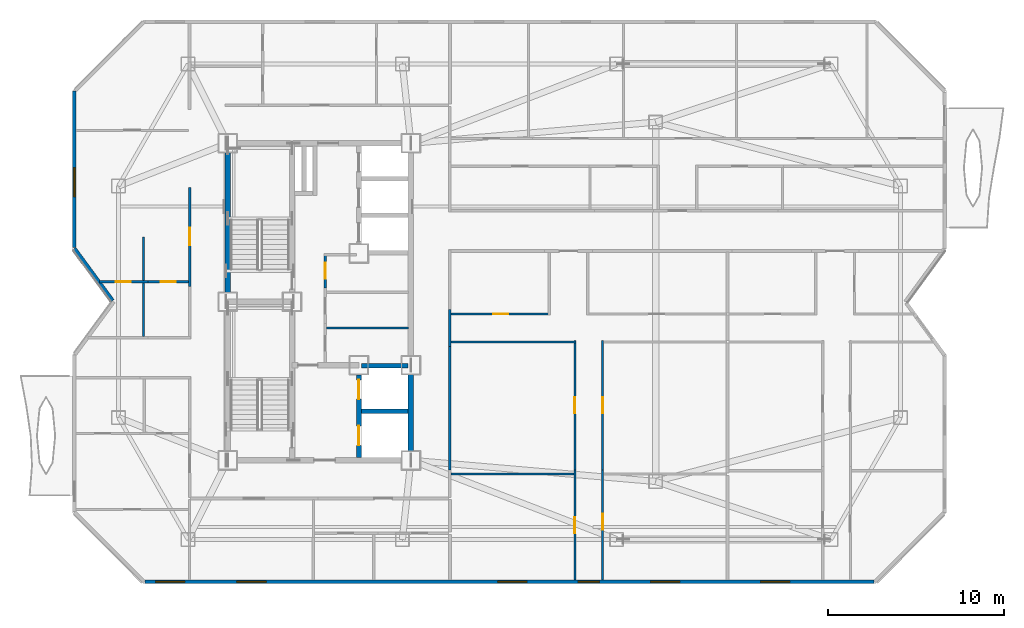
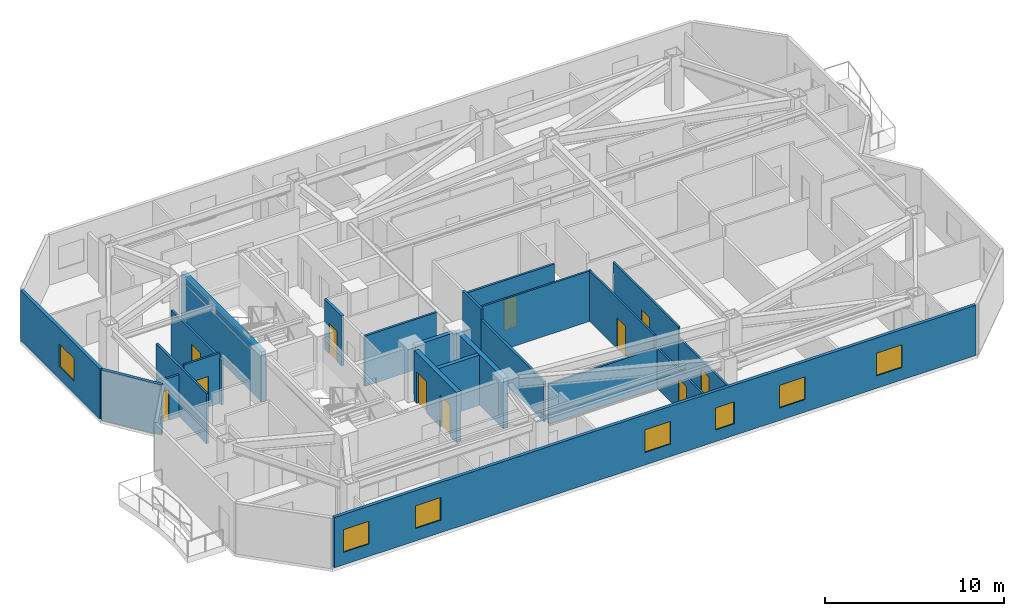
# One storey, part 5 of 10: 23 walls, 11 doors, 7 windows, 18 openings.
"""IFC4 building model written with IfcOpenShell, lengths in metres."""

from ifc_helpers import new_model, si_unit, direction, frame, frame_2d, origin, place, context, subcontext, project, spatial, rectangle, extrude, material, layer, layer_set, type_object, element, fill, save


model = new_model("IFC4")

# Units and contexts
model_context = context("Model", 3, precision=1e-05, world=origin(), true_north=direction((0.0, 1.0)))
body_context = subcontext(model_context, "Body", "Model", "MODEL_VIEW")
ifc_project = project(units=[si_unit("LENGTHUNIT", "METRE"), si_unit("AREAUNIT", "SQUARE_METRE"), si_unit("VOLUMEUNIT", "CUBIC_METRE"), si_unit("PLANEANGLEUNIT", "RADIAN"), si_unit("MASSUNIT", "GRAM", prefix="KILO")], contexts=[model_context])

# Site, building, storey
site_placement = place(None, origin())
site = spatial("IfcSite", under=ifc_project, at=site_placement, CompositionType="ELEMENT")
building_placement = place(site_placement, origin())
building = spatial("IfcBuilding", under=site, at=building_placement, Name="Khamvora Tower", CompositionType="ELEMENT")
storey_placement = place(building_placement, frame((0.0, 0.0, 228.14990234375)))
storey = spatial("IfcBuildingStorey", under=building, at=storey_placement, Name="L58", CompositionType="ELEMENT", Elevation=228.14990234375)

# Walls
ifc_material_1 = material(Name="Concrete C50/60", Category="concrete")
ifc_layer_1 = layer(ifc_material_1, 0.300048828125)
ifc_layer_set_1 = layer_set([ifc_layer_1], Name="Concrete C50/60")
wall_type_1 = type_object("IfcWallType", Name="WAL-CORE-300", PredefinedType="SHEAR", material=ifc_layer_set_1)
wall_1_placement = place(storey_placement, frame((29.0, 28.0, 0.0), z_axis=(0.0, 0.0, 1.0), x_axis=(0.0, 1.0, 0.0)))
element("IfcWall", 1, at=wall_1_placement, inside=storey, type_object=wall_type_1, Name="L58 central core west north wall", PredefinedType="SHEAR", context=body_context, shape_type="SweptSolid", body=[
    extrude(rectangle(XDim=9.0, YDim=0.300048828125, at=frame_2d((4.5, 0.0))), origin(), (0.0, 0.0, 1.0), 3.43017578125),
])
wall_2_placement = place(storey_placement, frame((39.39990234375, 19.0, 0.0), z_axis=(0.0, 0.0, 1.0), x_axis=(0.0, 1.0, 0.0)))
element("IfcWall", 2, at=wall_2_placement, inside=storey, type_object=wall_type_1, Name="L58 central core east south wall", PredefinedType="SHEAR", context=body_context, shape_type="SweptSolid", body=[
    extrude(rectangle(XDim=5.39990234375, YDim=0.300048828125, at=frame_2d((2.699951171875, 0.0))), origin(), (0.0, 0.0, 1.0), 3.43017578125),
])

# Wall, openings, doors
wall_3_placement = place(storey_placement, frame((36.449951171875, 19.154052734375, 0.0), z_axis=(0.0, 0.0, 1.0), x_axis=(0.0, 1.0, 0.0)))
wall_3 = element("IfcWall", 3, at=wall_3_placement, inside=storey, type_object=wall_type_1, Name="L58 central core lift bank south wall", PredefinedType="SHEAR", context=body_context, shape_type="SweptSolid", body=[
    extrude(rectangle(XDim=4.696044921875, YDim=0.300048828125, at=frame_2d((2.34814453125, 0.0))), origin(), (0.0, 0.0, 1.0), 3.43017578125),
])
opening_1_placement = place(wall_3_placement, frame((0.696044921875, 0.0, 0.0)))
opening_1 = element("IfcOpeningElement", 4, at=opening_1_placement, cuts=wall_3, Name="Opening LD-FFL", PredefinedType="OPENING", context=body_context, shape_type="SweptSolid", body=[
    extrude(rectangle(XDim=1.10009765625, YDim=2.14990234375, at=frame_2d((0.550048828125, 1.074951171875))), frame((0.0, 0.159912109375, 0.0), z_axis=(0.0, -1.0, 0.0), x_axis=(1.0, 0.0, 0.0)), (0.0, 0.0, 1.0), 0.320068359375),
])
opening_2_placement = place(wall_3_placement, frame((3.31591796875, 0.0, 0.0)))
opening_2 = element("IfcOpeningElement", 5, at=opening_2_placement, cuts=wall_3, Name="Opening LD-FFL", PredefinedType="OPENING", context=body_context, shape_type="SweptSolid", body=[
    extrude(rectangle(XDim=1.10009765625, YDim=2.14990234375, at=frame_2d((0.550048828125, 1.074951171875))), frame((0.0, 0.159912109375, 0.0), z_axis=(0.0, -1.0, 0.0), x_axis=(1.0, 0.0, 0.0)), (0.0, 0.0, 1.0), 0.320068359375),
])
ifc_material_2 = material(Name="Powder-Coated Steel and Hardwood Leaf", Category="steel")
door_type_1 = type_object("IfcDoorType", Name="DOR-LIFT-1100", OperationType="SLIDING_TO_LEFT", PredefinedType="DOOR", material=ifc_material_2)
door_1_placement = place(opening_1_placement, origin())
door_1 = element("IfcDoor", 6, at=door_1_placement, inside=storey, type_object=door_type_1, Name="L58 lift landing sliding door FFL-01", OperationType="SLIDING_TO_LEFT", OverallHeight=2.14990234375, OverallWidth=1.10009765625, PredefinedType="DOOR", context=body_context, shape_type="SweptSolid", body=[
    extrude(rectangle(XDim=1.10009765625, YDim=2.14990234375, at=frame_2d((0.550048828125, 1.074951171875))), frame((0.0, 0.02490234375, 0.0), z_axis=(0.0, -1.0, 0.0), x_axis=(1.0, 0.0, 0.0)), (0.0, 0.0, 1.0), 0.050048828125),
])
fill(opening_1, door_1)
door_2_placement = place(opening_2_placement, origin())
door_2 = element("IfcDoor", 7, at=door_2_placement, inside=storey, type_object=door_type_1, Name="L58 lift landing sliding door FFL-02", OperationType="SLIDING_TO_LEFT", OverallHeight=2.14990234375, OverallWidth=1.10009765625, PredefinedType="DOOR", context=body_context, shape_type="SweptSolid", body=[
    extrude(rectangle(XDim=1.10009765625, YDim=2.14990234375, at=frame_2d((0.550048828125, 1.074951171875))), frame((0.0, 0.02490234375, 0.0), z_axis=(0.0, -1.0, 0.0), x_axis=(1.0, 0.0, 0.0)), (0.0, 0.0, 1.0), 0.050048828125),
])
fill(opening_2, door_2)

# Wall, opening, door
ifc_material_3 = material(Name="Fire-Rated Drywall and Steel Stud", Category="steel")
ifc_layer_2 = layer(ifc_material_3, 0.14990234375)
ifc_layer_set_2 = layer_set([ifc_layer_2], Name="Fire-Rated Drywall and Steel Stud")
wall_type_2 = type_object("IfcWallType", Name="WAL-CORR-150", PredefinedType="STANDARD", material=ifc_layer_set_2)
wall_4_placement = place(storey_placement, frame((34.544921875, 30.72998046875, 0.0), z_axis=(0.0, 0.0, 1.0), x_axis=(0.0, -1.0, 0.0)))
wall_4 = element("IfcWall", 8, at=wall_4_placement, inside=storey, type_object=wall_type_2, Name="L58 interior partition wall 004", PredefinedType="STANDARD", context=body_context, shape_type="SweptSolid", body=[
    extrude(rectangle(XDim=1.93603515625, YDim=0.14990234375, at=frame_2d((0.968017578125, 0.0))), origin(), (0.0, 0.0, 1.0), 3.43017578125),
])
opening_3_placement = place(wall_4_placement, frame((0.51806640625, 0.0, 0.0)))
opening_3 = element("IfcOpeningElement", 9, at=opening_3_placement, cuts=wall_4, Name="Opening D-RM1", PredefinedType="OPENING", context=body_context, shape_type="SweptSolid", body=[
    extrude(rectangle(XDim=0.89990234375, YDim=2.10009765625, at=frame_2d((0.449951171875, 1.050048828125))), frame((0.0, 0.0849609375, 0.0), z_axis=(0.0, -1.0, 0.0), x_axis=(1.0, 0.0, 0.0)), (0.0, 0.0, 1.0), 0.169921875),
])
door_type_2 = type_object("IfcDoorType", Name="DOR-ROOM-900", OperationType="NOTDEFINED", PredefinedType="DOOR", material=ifc_material_2)
door_3_placement = place(opening_3_placement, origin())
door_3 = element("IfcDoor", 10, at=door_3_placement, inside=storey, type_object=door_type_2, Name="L58 interior door PHL-CS3", OperationType="SINGLE_SWING_LEFT", OverallHeight=2.10009765625, OverallWidth=0.89990234375, PredefinedType="DOOR", context=body_context, shape_type="SweptSolid", body=[
    extrude(rectangle(XDim=0.89990234375, YDim=2.10009765625, at=frame_2d((0.449951171875, 1.050048828125))), frame((0.0, 0.02490234375, 0.0), z_axis=(0.0, -1.0, 0.0), x_axis=(1.0, 0.0, 0.0)), (0.0, 0.0, 1.0), 0.050048828125),
])
fill(opening_3, door_3)

wall_5_placement = place(storey_placement, frame((26.8349609375, 28.881103515625, 0.0), z_axis=(0.0, 0.0, 1.0), x_axis=(0.0, 1.0, 0.0)))
wall_5 = element("IfcWall", 11, at=wall_5_placement, inside=storey, type_object=wall_type_2, Name="L58 interior partition wall 012", PredefinedType="STANDARD", context=body_context, shape_type="SweptSolid", body=[
    extrude(rectangle(XDim=5.618896484375, YDim=0.14990234375, at=frame_2d((2.8095703125, 0.0))), origin(), (0.0, 0.0, 1.0), 3.065185546875),
])
opening_4_placement = place(wall_5_placement, frame((2.330078125, 0.0, 0.0)))
opening_4 = element("IfcOpeningElement", 12, at=opening_4_placement, cuts=wall_5, Name="Opening D-U1", PredefinedType="OPENING", context=body_context, shape_type="SweptSolid", body=[
    extrude(rectangle(XDim=1.0, YDim=2.14990234375, at=frame_2d((0.5, 1.074951171875))), frame((0.0, 0.0849609375, 0.0), z_axis=(0.0, -1.0, 0.0), x_axis=(1.0, 0.0, 0.0)), (0.0, 0.0, 1.0), 0.169921875),
])
door_type_3 = type_object("IfcDoorType", Name="DOR-UNIT-1000", OperationType="NOTDEFINED", PredefinedType="DOOR", material=ifc_material_2)
door_4_placement = place(opening_4_placement, origin())
door_4 = element("IfcDoor", 13, at=door_4_placement, inside=storey, type_object=door_type_3, Name="L58 interior door COR-58WCH", OperationType="SINGLE_SWING_RIGHT", OverallHeight=2.14990234375, OverallWidth=1.0, PredefinedType="DOOR", context=body_context, shape_type="SweptSolid", body=[
    extrude(rectangle(XDim=1.0, YDim=2.14990234375, at=frame_2d((0.5, 1.074951171875))), frame((0.0, 0.02490234375, 0.0), z_axis=(0.0, -1.0, 0.0), x_axis=(1.0, 0.0, 0.0)), (0.0, 0.0, 1.0), 0.050048828125),
])
fill(opening_4, door_4)

# Walls
wall_6_placement = place(storey_placement, frame((41.614990234375, 27.553955078125, 0.0), z_axis=(0.0, 0.0, 1.0), x_axis=(0.0, -1.0, 0.0)))
element("IfcWall", 14, at=wall_6_placement, inside=storey, type_object=wall_type_2, Name="L58 interior partition wall 021", PredefinedType="STANDARD", context=body_context, shape_type="SweptSolid", body=[
    extrude(rectangle(XDim=2.077880859375, YDim=0.14990234375, at=frame_2d((1.0390625, 0.0))), origin(), (0.0, 0.0, 1.0), 3.43017578125),
])
wall_7_placement = place(storey_placement, frame((41.614990234375, 25.47607421875, 0.0), z_axis=(0.0, 0.0, 1.0), x_axis=(0.0, -1.0, 0.0)))
element("IfcWall", 15, at=wall_7_placement, inside=storey, type_object=wall_type_2, Name="L58 interior partition wall 026", PredefinedType="STANDARD", context=body_context, shape_type="SweptSolid", body=[
    extrude(rectangle(XDim=7.01318359375, YDim=0.14990234375, at=frame_2d((3.506591796875, 0.0))), origin(), (0.0, 0.0, 1.0), 2.72509765625),
])
ifc_material_4 = material(Name="Precast concrete C40/50", Category="concrete")
ifc_layer_3 = layer(ifc_material_4, 0.199951171875)
ifc_layer_set_3 = layer_set([ifc_layer_3], Name="Precast concrete C40/50")
wall_type_3 = type_object("IfcWallType", Name="WAL-EXT-200", PredefinedType="STANDARD", material=ifc_layer_set_3)
wall_8_placement = place(storey_placement, frame((22.472900390625, 28.069091796875, 0.0), z_axis=(0.0, 0.0, 1.0), x_axis=(-0.591248456881, 0.80648946815, 0.0)))
element("IfcWall", 16, at=wall_8_placement, inside=storey, type_object=wall_type_3, Name="L58 exterior facade wall 04.1", PredefinedType="STANDARD", context=body_context, shape_type="SweptSolid", body=[
    extrude(rectangle(XDim=3.675048828125, YDim=0.199951171875, at=frame_2d((1.83740234375, 0.0))), origin(), (0.0, 0.0, 1.0), 3.43017578125),
])

# Wall, opening, window
wall_9_placement = place(storey_placement, frame((20.300048828125, 31.083984375, 0.0), z_axis=(0.0, 0.0, 1.0), x_axis=(0.0, 1.0, 0.0)))
wall_9 = element("IfcWall", 17, at=wall_9_placement, inside=storey, type_object=wall_type_3, Name="L58 exterior facade wall 05.1", PredefinedType="STANDARD", context=body_context, shape_type="SweptSolid", body=[
    extrude(rectangle(XDim=8.875, YDim=0.199951171875, at=frame_2d((4.4375, 0.0))), origin(), (0.0, 0.0, 1.0), 3.43017578125),
])
opening_5_placement = place(wall_9_placement, frame((2.889892578125, 0.0, 0.85009765625)))
opening_5 = element("IfcOpeningElement", 18, at=opening_5_placement, cuts=wall_9, Name="Opening WN-06", PredefinedType="OPENING", context=body_context, shape_type="SweptSolid", body=[
    extrude(rectangle(XDim=1.64990234375, YDim=1.550048828125, at=frame_2d((0.824951171875, 0.77490234375))), frame((0.0, 0.10986328125, 0.0), z_axis=(0.0, -1.0, 0.0), x_axis=(1.0, 0.0, 0.0)), (0.0, 0.0, 1.0), 0.219970703125),
])
ifc_material_5 = material(Name="Low-E Laminated Double Glazing", Category="glass")
window_type_1 = type_object("IfcWindowType", Name="WIN-VIS-1650x1550", PartitioningType="SINGLE_PANEL", PredefinedType="WINDOW", material=ifc_material_5)
window_1_placement = place(opening_5_placement, origin())
window_1 = element("IfcWindow", 19, at=window_1_placement, inside=storey, type_object=window_type_1, Name="L58 vision window 05.1.01", OverallHeight=1.550048828125, OverallWidth=1.64990234375, PartitioningType="SINGLE_PANEL", PredefinedType="WINDOW", context=body_context, shape_type="SweptSolid", body=[
    extrude(rectangle(XDim=1.64990234375, YDim=1.550048828125, at=frame_2d((0.824951171875, 0.77490234375))), frame((0.0, 0.030029296875, 0.0), z_axis=(0.0, -1.0, 0.0), x_axis=(1.0, 0.0, 0.0)), (0.0, 0.0, 1.0), 0.06005859375),
])
fill(opening_5, window_1)

# Wall, openings, windows
wall_10_placement = place(storey_placement, frame((65.696044921875, 12.10009765625, 0.0), z_axis=(0.0, 0.0, 1.0), x_axis=(-1.0, 0.0, 0.0)))
wall_10 = element("IfcWall", 20, at=wall_10_placement, inside=storey, type_object=wall_type_3, Name="L58 exterior facade wall 14.1", PredefinedType="STANDARD", context=body_context, shape_type="SweptSolid", body=[
    extrude(rectangle(XDim=41.39306640625, YDim=0.199951171875, at=frame_2d((20.696533203125, 0.0))), origin(), (0.0, 0.0, 1.0), 3.43017578125),
])
opening_6_placement = place(wall_10_placement, frame((34.52099609375, 0.0, 0.85009765625)))
opening_6 = element("IfcOpeningElement", 21, at=opening_6_placement, cuts=wall_10, Name="Opening WN-06", PredefinedType="OPENING", context=body_context, shape_type="SweptSolid", body=[
    extrude(rectangle(XDim=1.64990234375, YDim=1.550048828125, at=frame_2d((0.824951171875, 0.77490234375))), frame((0.0, 0.10986328125, 0.0), z_axis=(0.0, -1.0, 0.0), x_axis=(1.0, 0.0, 0.0)), (0.0, 0.0, 1.0), 0.219970703125),
])
opening_7_placement = place(wall_10_placement, frame((39.139892578125, 0.0, 0.85009765625)))
opening_7 = element("IfcOpeningElement", 22, at=opening_7_placement, cuts=wall_10, Name="Opening WN-06", PredefinedType="OPENING", context=body_context, shape_type="SweptSolid", body=[
    extrude(rectangle(XDim=1.64990234375, YDim=1.550048828125, at=frame_2d((0.824951171875, 0.77490234375))), frame((0.0, 0.10986328125, 0.0), z_axis=(0.0, -1.0, 0.0), x_axis=(1.0, 0.0, 0.0)), (0.0, 0.0, 1.0), 0.219970703125),
])
opening_8_placement = place(wall_10_placement, frame((15.595947265625, 0.0, 0.800048828125)))
opening_8 = element("IfcOpeningElement", 23, at=opening_8_placement, cuts=wall_10, Name="Opening WN-03", PredefinedType="OPENING", context=body_context, shape_type="SweptSolid", body=[
    extrude(rectangle(XDim=1.199951171875, YDim=1.5, at=frame_2d((0.60009765625, 0.75))), frame((0.0, 0.10986328125, 0.0), z_axis=(0.0, -1.0, 0.0), x_axis=(1.0, 0.0, 0.0)), (0.0, 0.0, 1.0), 0.219970703125),
])
opening_9_placement = place(wall_10_placement, frame((19.7060546875, 0.0, 0.85009765625)))
opening_9 = element("IfcOpeningElement", 24, at=opening_9_placement, cuts=wall_10, Name="Opening WN-06", PredefinedType="OPENING", context=body_context, shape_type="SweptSolid", body=[
    extrude(rectangle(XDim=1.64990234375, YDim=1.550048828125, at=frame_2d((0.824951171875, 0.77490234375))), frame((0.0, 0.10986328125, 0.0), z_axis=(0.0, -1.0, 0.0), x_axis=(1.0, 0.0, 0.0)), (0.0, 0.0, 1.0), 0.219970703125),
])
opening_10_placement = place(wall_10_placement, frame((11.035888671875, 0.0, 0.85009765625)))
opening_10 = element("IfcOpeningElement", 25, at=opening_10_placement, cuts=wall_10, Name="Opening WN-06", PredefinedType="OPENING", context=body_context, shape_type="SweptSolid", body=[
    extrude(rectangle(XDim=1.64990234375, YDim=1.550048828125, at=frame_2d((0.824951171875, 0.77490234375))), frame((0.0, 0.10986328125, 0.0), z_axis=(0.0, -1.0, 0.0), x_axis=(1.0, 0.0, 0.0)), (0.0, 0.0, 1.0), 0.219970703125),
])
opening_11_placement = place(wall_10_placement, frame((4.785888671875, 0.0, 0.85009765625)))
opening_11 = element("IfcOpeningElement", 26, at=opening_11_placement, cuts=wall_10, Name="Opening WN-06", PredefinedType="OPENING", context=body_context, shape_type="SweptSolid", body=[
    extrude(rectangle(XDim=1.64990234375, YDim=1.550048828125, at=frame_2d((0.824951171875, 0.77490234375))), frame((0.0, 0.10986328125, 0.0), z_axis=(0.0, -1.0, 0.0), x_axis=(1.0, 0.0, 0.0)), (0.0, 0.0, 1.0), 0.219970703125),
])
window_type_2 = type_object("IfcWindowType", Name="WIN-VIS-1200x1500", PartitioningType="SINGLE_PANEL", PredefinedType="WINDOW", material=ifc_material_5)
window_2_placement = place(opening_8_placement, origin())
window_2 = element("IfcWindow", 27, at=window_2_placement, inside=storey, type_object=window_type_2, Name="L58 vision window 14.1.03", OverallHeight=1.5, OverallWidth=1.199951171875, PartitioningType="SINGLE_PANEL", PredefinedType="WINDOW", context=body_context, shape_type="SweptSolid", body=[
    extrude(rectangle(XDim=1.199951171875, YDim=1.5, at=frame_2d((0.60009765625, 0.75))), frame((0.0, 0.030029296875, 0.0), z_axis=(0.0, -1.0, 0.0), x_axis=(1.0, 0.0, 0.0)), (0.0, 0.0, 1.0), 0.06005859375),
])
fill(opening_8, window_2)
window_3_placement = place(opening_6_placement, origin())
window_3 = element("IfcWindow", 28, at=window_3_placement, inside=storey, type_object=window_type_1, Name="L58 vision window 14.1.01", OverallHeight=1.550048828125, OverallWidth=1.64990234375, PartitioningType="SINGLE_PANEL", PredefinedType="WINDOW", context=body_context, shape_type="SweptSolid", body=[
    extrude(rectangle(XDim=1.64990234375, YDim=1.550048828125, at=frame_2d((0.824951171875, 0.77490234375))), frame((0.0, 0.030029296875, 0.0), z_axis=(0.0, -1.0, 0.0), x_axis=(1.0, 0.0, 0.0)), (0.0, 0.0, 1.0), 0.06005859375),
])
fill(opening_6, window_3)
window_4_placement = place(opening_7_placement, origin())
window_4 = element("IfcWindow", 29, at=window_4_placement, inside=storey, type_object=window_type_1, Name="L58 vision window 14.1.02", OverallHeight=1.550048828125, OverallWidth=1.64990234375, PartitioningType="SINGLE_PANEL", PredefinedType="WINDOW", context=body_context, shape_type="SweptSolid", body=[
    extrude(rectangle(XDim=1.64990234375, YDim=1.550048828125, at=frame_2d((0.824951171875, 0.77490234375))), frame((0.0, 0.030029296875, 0.0), z_axis=(0.0, -1.0, 0.0), x_axis=(1.0, 0.0, 0.0)), (0.0, 0.0, 1.0), 0.06005859375),
])
fill(opening_7, window_4)
window_5_placement = place(opening_9_placement, origin())
window_5 = element("IfcWindow", 30, at=window_5_placement, inside=storey, type_object=window_type_1, Name="L58 vision window 14.1.04", OverallHeight=1.550048828125, OverallWidth=1.64990234375, PartitioningType="SINGLE_PANEL", PredefinedType="WINDOW", context=body_context, shape_type="SweptSolid", body=[
    extrude(rectangle(XDim=1.64990234375, YDim=1.550048828125, at=frame_2d((0.824951171875, 0.77490234375))), frame((0.0, 0.030029296875, 0.0), z_axis=(0.0, -1.0, 0.0), x_axis=(1.0, 0.0, 0.0)), (0.0, 0.0, 1.0), 0.06005859375),
])
fill(opening_9, window_5)
window_6_placement = place(opening_10_placement, origin())
window_6 = element("IfcWindow", 31, at=window_6_placement, inside=storey, type_object=window_type_1, Name="L58 vision window 14.1.05", OverallHeight=1.550048828125, OverallWidth=1.64990234375, PartitioningType="SINGLE_PANEL", PredefinedType="WINDOW", context=body_context, shape_type="SweptSolid", body=[
    extrude(rectangle(XDim=1.64990234375, YDim=1.550048828125, at=frame_2d((0.824951171875, 0.77490234375))), frame((0.0, 0.030029296875, 0.0), z_axis=(0.0, -1.0, 0.0), x_axis=(1.0, 0.0, 0.0)), (0.0, 0.0, 1.0), 0.06005859375),
])
fill(opening_10, window_6)
window_7_placement = place(opening_11_placement, origin())
window_7 = element("IfcWindow", 32, at=window_7_placement, inside=storey, type_object=window_type_1, Name="L58 vision window 14.1.06", OverallHeight=1.550048828125, OverallWidth=1.64990234375, PartitioningType="SINGLE_PANEL", PredefinedType="WINDOW", context=body_context, shape_type="SweptSolid", body=[
    extrude(rectangle(XDim=1.64990234375, YDim=1.550048828125, at=frame_2d((0.824951171875, 0.77490234375))), frame((0.0, 0.030029296875, 0.0), z_axis=(0.0, -1.0, 0.0), x_axis=(1.0, 0.0, 0.0)), (0.0, 0.0, 1.0), 0.06005859375),
])
fill(opening_11, window_7)

# Wall, opening, door
ifc_material_6 = material(Name="Gypsum Plasterboard Partition", Category="gypsum")
ifc_layer_4 = layer(ifc_material_6, 0.1201171875)
ifc_layer_set_4 = layer_set([ifc_layer_4], Name="Gypsum Plasterboard Partition")
wall_type_4 = type_object("IfcWallType", Name="WAL-PART-120", PredefinedType="PARTITIONING", material=ifc_layer_set_4)
wall_11_placement = place(storey_placement, frame((48.715087890625, 12.19189453125, 0.0), z_axis=(0.0, 0.0, 1.0), x_axis=(0.0, 1.0, 0.0)))
wall_11 = element("IfcWall", 33, at=wall_11_placement, inside=storey, type_object=wall_type_4, Name="L58 interior partition wall 066", PredefinedType="PARTITIONING", context=body_context, shape_type="SweptSolid", body=[
    extrude(rectangle(XDim=6.27099609375, YDim=0.1201171875, at=frame_2d((3.135498046875, 0.0))), origin(), (0.0, 0.0, 1.0), 2.72509765625),
])
opening_12_placement = place(wall_11_placement, frame((2.6640625, 0.0, 0.0)))
opening_12 = element("IfcOpeningElement", 34, at=opening_12_placement, cuts=wall_11, Name="Opening D-RM1", PredefinedType="OPENING", context=body_context, shape_type="SweptSolid", body=[
    extrude(rectangle(XDim=0.89990234375, YDim=2.10009765625, at=frame_2d((0.449951171875, 1.050048828125))), frame((0.0, 0.070068359375, 0.0), z_axis=(0.0, -1.0, 0.0), x_axis=(1.0, 0.0, 0.0)), (0.0, 0.0, 1.0), 0.14013671875),
])
door_5_placement = place(opening_12_placement, origin())
door_5 = element("IfcDoor", 35, at=door_5_placement, inside=storey, type_object=door_type_2, Name="L58 interior door 58EAH-58EAR1", OperationType="SINGLE_SWING_RIGHT", OverallHeight=2.10009765625, OverallWidth=0.89990234375, PredefinedType="DOOR", context=body_context, shape_type="SweptSolid", body=[
    extrude(rectangle(XDim=0.89990234375, YDim=2.10009765625, at=frame_2d((0.449951171875, 1.050048828125))), frame((0.0, 0.02490234375, 0.0), z_axis=(0.0, -1.0, 0.0), x_axis=(1.0, 0.0, 0.0)), (0.0, 0.0, 1.0), 0.050048828125),
])
fill(opening_12, door_5)

wall_12_placement = place(storey_placement, frame((48.715087890625, 18.462890625, 0.0), z_axis=(0.0, 0.0, 1.0), x_axis=(0.0, 1.0, 0.0)))
wall_12 = element("IfcWall", 36, at=wall_12_placement, inside=storey, type_object=wall_type_4, Name="L58 interior partition wall 067", PredefinedType="PARTITIONING", context=body_context, shape_type="SweptSolid", body=[
    extrude(rectangle(XDim=7.3271484375, YDim=0.1201171875, at=frame_2d((3.66357421875, 0.0))), origin(), (0.0, 0.0, 1.0), 3.43017578125),
])
opening_13_placement = place(wall_12_placement, frame((3.212890625, 0.0, 0.0)))
opening_13 = element("IfcOpeningElement", 37, at=opening_13_placement, cuts=wall_12, Name="Opening D-RM1", PredefinedType="OPENING", context=body_context, shape_type="SweptSolid", body=[
    extrude(rectangle(XDim=0.89990234375, YDim=2.10009765625, at=frame_2d((0.449951171875, 1.050048828125))), frame((0.0, 0.070068359375, 0.0), z_axis=(0.0, -1.0, 0.0), x_axis=(1.0, 0.0, 0.0)), (0.0, 0.0, 1.0), 0.14013671875),
])
door_6_placement = place(opening_13_placement, origin())
door_6 = element("IfcDoor", 38, at=door_6_placement, inside=storey, type_object=door_type_2, Name="L58 interior door 58EAH-58EAR2", OperationType="SINGLE_SWING_LEFT", OverallHeight=2.10009765625, OverallWidth=0.89990234375, PredefinedType="DOOR", context=body_context, shape_type="SweptSolid", body=[
    extrude(rectangle(XDim=0.89990234375, YDim=2.10009765625, at=frame_2d((0.449951171875, 1.050048828125))), frame((0.0, 0.02490234375, 0.0), z_axis=(0.0, -1.0, 0.0), x_axis=(1.0, 0.0, 0.0)), (0.0, 0.0, 1.0), 0.050048828125),
])
fill(opening_13, door_6)

# Wall
wall_13_placement = place(storey_placement, frame((48.780029296875, 25.72509765625, 0.0), z_axis=(0.0, 0.0, 1.0), x_axis=(-1.0, 0.0, 0.0)))
element("IfcWall", 39, at=wall_13_placement, inside=storey, type_object=wall_type_4, Name="L58 interior partition wall 068", PredefinedType="PARTITIONING", context=body_context, shape_type="SweptSolid", body=[
    extrude(rectangle(XDim=7.09814453125, YDim=0.1201171875, at=frame_2d((3.549072265625, 0.0))), origin(), (0.0, 0.0, 1.0), 3.43017578125),
])

# Wall, opening, door
wall_14_placement = place(storey_placement, frame((50.284912109375, 18.462890625, 0.0), z_axis=(0.0, 0.0, 1.0), x_axis=(0.0, -1.0, 0.0)))
wall_14 = element("IfcWall", 40, at=wall_14_placement, inside=storey, type_object=wall_type_4, Name="L58 interior partition wall 069", PredefinedType="PARTITIONING", context=body_context, shape_type="SweptSolid", body=[
    extrude(rectangle(XDim=6.27099609375, YDim=0.1201171875, at=frame_2d((3.135498046875, 0.0))), origin(), (0.0, 0.0, 1.0), 2.72509765625),
])
opening_14_placement = place(wall_14_placement, frame((2.507080078125, 0.0, 0.0)))
opening_14 = element("IfcOpeningElement", 41, at=opening_14_placement, cuts=wall_14, Name="Opening D-RM1", PredefinedType="OPENING", context=body_context, shape_type="SweptSolid", body=[
    extrude(rectangle(XDim=0.89990234375, YDim=2.10009765625, at=frame_2d((0.449951171875, 1.050048828125))), frame((0.0, 0.070068359375, 0.0), z_axis=(0.0, -1.0, 0.0), x_axis=(1.0, 0.0, 0.0)), (0.0, 0.0, 1.0), 0.14013671875),
])
door_7_placement = place(opening_14_placement, origin())
door_7 = element("IfcDoor", 42, at=door_7_placement, inside=storey, type_object=door_type_2, Name="L58 interior door 58EAH-58EAR3", OperationType="SINGLE_SWING_LEFT", OverallHeight=2.10009765625, OverallWidth=0.89990234375, PredefinedType="DOOR", context=body_context, shape_type="SweptSolid", body=[
    extrude(rectangle(XDim=0.89990234375, YDim=2.10009765625, at=frame_2d((0.449951171875, 1.050048828125))), frame((0.0, 0.02490234375, 0.0), z_axis=(0.0, -1.0, 0.0), x_axis=(1.0, 0.0, 0.0)), (0.0, 0.0, 1.0), 0.050048828125),
])
fill(opening_14, door_7)

wall_15_placement = place(storey_placement, frame((50.284912109375, 25.7900390625, 0.0), z_axis=(0.0, 0.0, 1.0), x_axis=(0.0, -1.0, 0.0)))
wall_15 = element("IfcWall", 43, at=wall_15_placement, inside=storey, type_object=wall_type_4, Name="L58 interior partition wall 071", PredefinedType="PARTITIONING", context=body_context, shape_type="SweptSolid", body=[
    extrude(rectangle(XDim=7.3271484375, YDim=0.1201171875, at=frame_2d((3.66357421875, 0.0))), origin(), (0.0, 0.0, 1.0), 3.43017578125),
])
opening_15_placement = place(wall_15_placement, frame((3.212890625, 0.0, 0.0)))
opening_15 = element("IfcOpeningElement", 44, at=opening_15_placement, cuts=wall_15, Name="Opening D-RM1", PredefinedType="OPENING", context=body_context, shape_type="SweptSolid", body=[
    extrude(rectangle(XDim=0.89990234375, YDim=2.10009765625, at=frame_2d((0.449951171875, 1.050048828125))), frame((0.0, 0.070068359375, 0.0), z_axis=(0.0, -1.0, 0.0), x_axis=(1.0, 0.0, 0.0)), (0.0, 0.0, 1.0), 0.14013671875),
])
door_8_placement = place(opening_15_placement, origin())
door_8 = element("IfcDoor", 45, at=door_8_placement, inside=storey, type_object=door_type_2, Name="L58 interior door 58EAH-58EAR4", OperationType="SINGLE_SWING_RIGHT", OverallHeight=2.10009765625, OverallWidth=0.89990234375, PredefinedType="DOOR", context=body_context, shape_type="SweptSolid", body=[
    extrude(rectangle(XDim=0.89990234375, YDim=2.10009765625, at=frame_2d((0.449951171875, 1.050048828125))), frame((0.0, 0.02490234375, 0.0), z_axis=(0.0, -1.0, 0.0), x_axis=(1.0, 0.0, 0.0)), (0.0, 0.0, 1.0), 0.050048828125),
])
fill(opening_15, door_8)

# Walls
wall_16_placement = place(storey_placement, frame((41.681884765625, 18.214111328125, 0.0), z_axis=(0.0, 0.0, 1.0), x_axis=(1.0, 0.0, 0.0)))
element("IfcWall", 46, at=wall_16_placement, inside=storey, type_object=wall_type_4, Name="L58 interior partition wall 074", PredefinedType="PARTITIONING", context=body_context, shape_type="SweptSolid", body=[
    extrude(rectangle(XDim=6.97900390625, YDim=0.1201171875, at=frame_2d((3.489501953125, 0.0))), origin(), (0.0, 0.0, 1.0), 2.72509765625),
])
ifc_material_7 = material(Name="Concrete C40/50", Category="concrete")
ifc_layer_5 = layer(ifc_material_7, 0.25)
ifc_layer_set_5 = layer_set([ifc_layer_5], Name="Concrete C40/50")
wall_type_5 = type_object("IfcWallType", Name="WAL-PODS-250", PredefinedType="SHEAR", material=ifc_layer_set_5)
for number, where, z_axis, x_axis, name in (
    (47, (36.60400390625, 21.77490234375, 0.0), (0.0, 0.0, 1.0), (1.0, 0.0, 0.0), "L58 lift shaft divider wall FFL-01"),
    (48, (36.60400390625, 24.375, 0.0), (0.0, 0.0, 1.0), (1.0, 0.0, 0.0), "L58 lift shaft divider wall FFL-02"),
):
    element("IfcWall", number, at=place(storey_placement, frame(where, z_axis=z_axis, x_axis=x_axis)), inside=storey, type_object=wall_type_5, Name=name, PredefinedType="SHEAR", context=body_context, shape_type="SweptSolid", body=[
        extrude(rectangle(XDim=2.64208984375, YDim=0.25, at=frame_2d((1.321044921875, 0.0))), origin(), (0.0, 0.0, 1.0), 3.43017578125),
    ])
ifc_material_8 = material(Name="Moisture-Resistant Plasterboard Partition", Category="gypsum")
ifc_layer_6 = layer(ifc_material_8, 0.135009765625)
ifc_layer_set_6 = layer_set([ifc_layer_6], Name="Moisture-Resistant Plasterboard Partition")
wall_type_6 = type_object("IfcWallType", Name="WAL-WET-135", PredefinedType="PARTITIONING", material=ifc_layer_set_6)
wall_17_placement = place(storey_placement, frame((34.612060546875, 26.514892578125, 0.0), z_axis=(0.0, 0.0, 1.0), x_axis=(1.0, 0.0, 0.0)))
element("IfcWall", 49, at=wall_17_placement, inside=storey, type_object=wall_type_6, Name="L58 interior partition wall 005", PredefinedType="PARTITIONING", context=body_context, shape_type="SweptSolid", body=[
    extrude(rectangle(XDim=4.64404296875, YDim=0.135009765625, at=frame_2d((2.322021484375, 0.0))), origin(), (0.0, 0.0, 1.0), 3.43017578125),
])

# Wall, opening, door
wall_18_placement = place(storey_placement, frame((24.468994140625, 29.1298828125, 0.0), z_axis=(0.0, 0.0, 1.0), x_axis=(-1.0, 0.0, 0.0)))
wall_18 = element("IfcWall", 50, at=wall_18_placement, inside=storey, type_object=wall_type_6, Name="L58 interior partition wall 046", PredefinedType="PARTITIONING", context=body_context, shape_type="SweptSolid", body=[
    extrude(rectangle(XDim=2.744873046875, YDim=0.135009765625, at=frame_2d((1.37255859375, 0.0))), origin(), (0.0, 0.0, 1.0), 2.88720703125),
])
opening_16_placement = place(wall_18_placement, frame((0.968017578125, 0.0, 0.0)))
opening_16 = element("IfcOpeningElement", 51, at=opening_16_placement, cuts=wall_18, Name="Opening D-WC1", PredefinedType="OPENING", context=body_context, shape_type="SweptSolid", body=[
    extrude(rectangle(XDim=0.85009765625, YDim=2.10009765625, at=frame_2d((0.425048828125, 1.050048828125))), frame((0.0, 0.077392578125, 0.0), z_axis=(0.0, -1.0, 0.0), x_axis=(1.0, 0.0, 0.0)), (0.0, 0.0, 1.0), 0.155029296875),
])
door_type_4 = type_object("IfcDoorType", Name="DOR-WET-850", OperationType="NOTDEFINED", PredefinedType="DOOR", material=ifc_material_2)
door_9_placement = place(opening_16_placement, origin())
door_9 = element("IfcDoor", 52, at=door_9_placement, inside=storey, type_object=door_type_4, Name="L58 interior door 58WCH-58WCB", OperationType="SINGLE_SWING_RIGHT", OverallHeight=2.10009765625, OverallWidth=0.85009765625, PredefinedType="DOOR", context=body_context, shape_type="SweptSolid", body=[
    extrude(rectangle(XDim=0.85009765625, YDim=2.10009765625, at=frame_2d((0.425048828125, 1.050048828125))), frame((0.0, 0.02490234375, 0.0), z_axis=(0.0, -1.0, 0.0), x_axis=(1.0, 0.0, 0.0)), (0.0, 0.0, 1.0), 0.050048828125),
])
fill(opening_16, door_9)

wall_19_placement = place(storey_placement, frame((26.77001953125, 29.1298828125, 0.0), z_axis=(0.0, 0.0, 1.0), x_axis=(-1.0, 0.0, 0.0)))
wall_19 = element("IfcWall", 53, at=wall_19_placement, inside=storey, type_object=wall_type_6, Name="L58 interior partition wall 047", PredefinedType="PARTITIONING", context=body_context, shape_type="SweptSolid", body=[
    extrude(rectangle(XDim=2.301025390625, YDim=0.135009765625, at=frame_2d((1.150390625, 0.0))), origin(), (0.0, 0.0, 1.0), 3.43017578125),
])
opening_17_placement = place(wall_19_placement, frame((0.72607421875, 0.0, 0.0)))
opening_17 = element("IfcOpeningElement", 54, at=opening_17_placement, cuts=wall_19, Name="Opening D-RM2", PredefinedType="OPENING", context=body_context, shape_type="SweptSolid", body=[
    extrude(rectangle(XDim=0.85009765625, YDim=2.10009765625, at=frame_2d((0.425048828125, 1.050048828125))), frame((0.0, 0.077392578125, 0.0), z_axis=(0.0, -1.0, 0.0), x_axis=(1.0, 0.0, 0.0)), (0.0, 0.0, 1.0), 0.155029296875),
])
door_type_5 = type_object("IfcDoorType", Name="DOR-ROOM-850", OperationType="NOTDEFINED", PredefinedType="DOOR", material=ifc_material_2)
door_10_placement = place(opening_17_placement, origin())
door_10 = element("IfcDoor", 55, at=door_10_placement, inside=storey, type_object=door_type_5, Name="L58 interior door 58WCH-58WCK", OperationType="SINGLE_SWING_LEFT", OverallHeight=2.10009765625, OverallWidth=0.85009765625, PredefinedType="DOOR", context=body_context, shape_type="SweptSolid", body=[
    extrude(rectangle(XDim=0.85009765625, YDim=2.10009765625, at=frame_2d((0.425048828125, 1.050048828125))), frame((0.0, 0.02490234375, 0.0), z_axis=(0.0, -1.0, 0.0), x_axis=(1.0, 0.0, 0.0)), (0.0, 0.0, 1.0), 0.050048828125),
])
fill(opening_17, door_10)

# Wall
wall_20_placement = place(storey_placement, frame((24.219970703125, 31.6650390625, 0.0), z_axis=(0.0, 0.0, 1.0), x_axis=(0.0, -1.0, 0.0)))
element("IfcWall", 56, at=wall_20_placement, inside=storey, type_object=wall_type_6, Name="L58 interior partition wall 049", PredefinedType="PARTITIONING", context=body_context, shape_type="SweptSolid", body=[
    extrude(rectangle(XDim=5.635009765625, YDim=0.135009765625, at=frame_2d((2.8173828125, 0.0))), origin(), (0.0, 0.0, 1.0), 3.43017578125),
])

# Wall, opening, door
wall_21_placement = place(storey_placement, frame((41.681884765625, 27.304931640625, 0.0), z_axis=(0.0, 0.0, 1.0), x_axis=(1.0, 0.0, 0.0)))
wall_21 = element("IfcWall", 57, at=wall_21_placement, inside=storey, type_object=wall_type_6, Name="L58 interior partition wall 062", PredefinedType="PARTITIONING", context=body_context, shape_type="SweptSolid", body=[
    extrude(rectangle(XDim=5.633056640625, YDim=0.135009765625, at=frame_2d((2.81640625, 0.0))), origin(), (0.0, 0.0, 1.0), 3.43017578125),
])
opening_18_placement = place(wall_21_placement, frame((2.39208984375, 0.0, 0.0)))
opening_18 = element("IfcOpeningElement", 58, at=opening_18_placement, cuts=wall_21, Name="Opening D-WC1", PredefinedType="OPENING", context=body_context, shape_type="SweptSolid", body=[
    extrude(rectangle(XDim=0.85009765625, YDim=2.10009765625, at=frame_2d((0.425048828125, 1.050048828125))), frame((0.0, 0.077392578125, 0.0), z_axis=(0.0, -1.0, 0.0), x_axis=(1.0, 0.0, 0.0)), (0.0, 0.0, 1.0), 0.155029296875),
])
door_11_placement = place(opening_18_placement, origin())
door_11 = element("IfcDoor", 59, at=door_11_placement, inside=storey, type_object=door_type_4, Name="L58 interior door 58EAH-58EAB", OperationType="SINGLE_SWING_RIGHT", OverallHeight=2.10009765625, OverallWidth=0.85009765625, PredefinedType="DOOR", context=body_context, shape_type="SweptSolid", body=[
    extrude(rectangle(XDim=0.85009765625, YDim=2.10009765625, at=frame_2d((0.425048828125, 1.050048828125))), frame((0.0, 0.02490234375, 0.0), z_axis=(0.0, -1.0, 0.0), x_axis=(1.0, 0.0, 0.0)), (0.0, 0.0, 1.0), 0.050048828125),
])
fill(opening_18, door_11)

save(model, "model.ifc")
